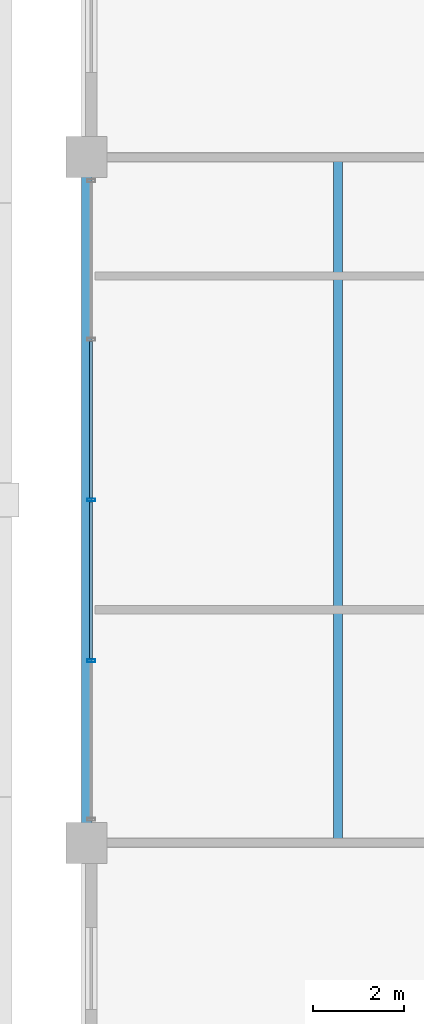
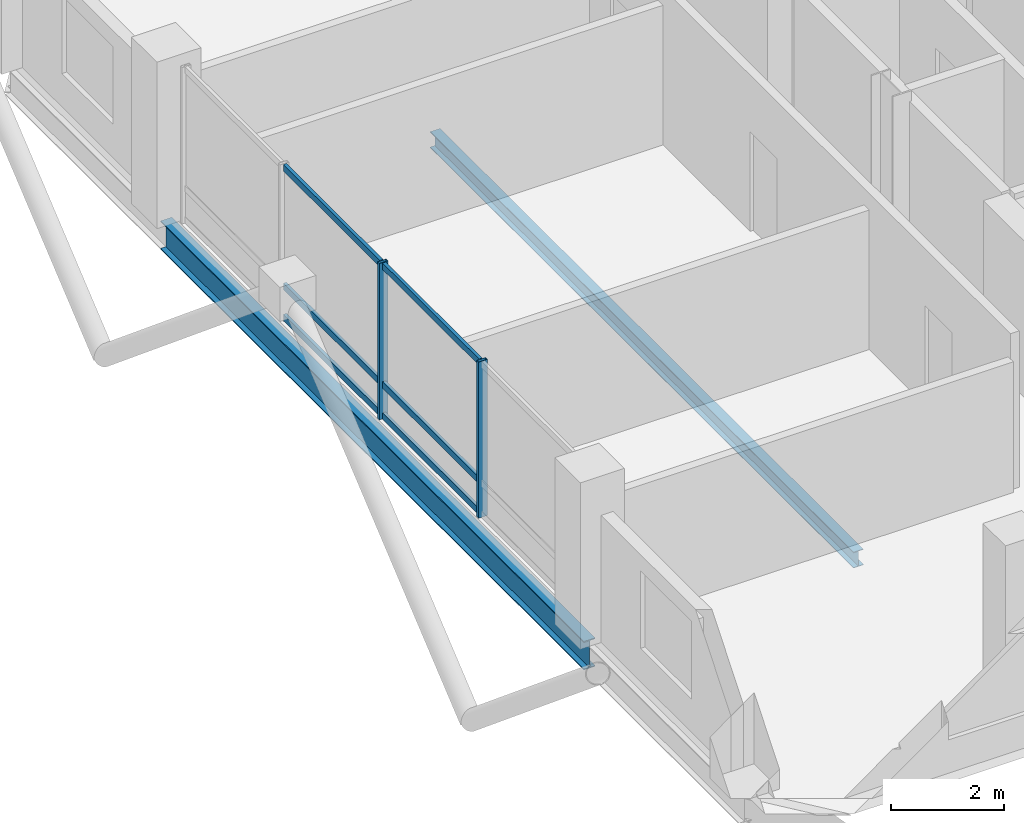
# One storey, part 7 of 22: 8 members, 2 beams, 1 element without a shape of its own.
"""IFC4 building model written with IfcOpenShell, lengths in metres."""

from ifc_helpers import new_model, si_unit, direction, frame, origin, origin_2d, place, context, subcontext, project, spatial, hollow_rectangle, i_section, extrude, material, layer, layer_set, material_profile, profile_set, type_object, element, aggregate, save


model = new_model("IFC4")

# Units and contexts
model_context = context("Model", 3, precision=1e-05, world=origin(), true_north=direction((0.0, 1.0)))
body_context = subcontext(model_context, "Body", "Model", "MODEL_VIEW")
ifc_project = project(units=[si_unit("LENGTHUNIT", "METRE"), si_unit("AREAUNIT", "SQUARE_METRE"), si_unit("VOLUMEUNIT", "CUBIC_METRE"), si_unit("PLANEANGLEUNIT", "RADIAN"), si_unit("MASSUNIT", "GRAM", prefix="KILO")], contexts=[model_context])

# Site, building, storey
site_placement = place(None, origin())
site = spatial("IfcSite", under=ifc_project, at=site_placement, CompositionType="ELEMENT")
building_placement = place(site_placement, origin())
building = spatial("IfcBuilding", under=site, at=building_placement, Name="Barlavira Tower and Art Museum", CompositionType="ELEMENT")
storey_placement = place(building_placement, frame((0.0, 0.0, 258.300048828125)))
storey = spatial("IfcBuildingStorey", under=building, at=storey_placement, Name="L67", CompositionType="ELEMENT", Elevation=258.300048828125)

# Curtain wall, members
ifc_material_1 = material(Name="Low-iron coastal laminated glass", Category="glass")
ifc_layer = layer(ifc_material_1, 0.2099609375, Name="Low-iron coastal laminated glass")
ifc_layer_set = layer_set([ifc_layer], Name="Low-iron coastal laminated glass")
curtain_wall_type = type_object("IfcCurtainWallType", Name="Pale-Metal Unitised Curtain Wall Zone 4", PredefinedType="NOTDEFINED", material=ifc_layer_set)
curtain_wall_placement = place(storey_placement, origin())
curtain_wall = element("IfcCurtainWall", 1, at=curtain_wall_placement, inside=storey, type_object=curtain_wall_type, Name="L67 Curtain Wall CW4-L67-W-B3", PredefinedType="NOTDEFINED")
ifc_material_2 = material(Name="Pale anodised aluminium", Category="aluminium")
ifc_material_profile_1 = material_profile(ifc_material_2, hollow_rectangle(XDim=0.06494140625, YDim=0.179931640625, WallThickness=0.00390625, at=origin_2d()), Name="ALU-MULL 65x180x4")
ifc_profile_set_1 = profile_set([ifc_material_profile_1], Name="Pale anodised aluminium")
member_type_1 = type_object("IfcMemberType", Name="Curtain Wall Pale-Metal Mullion 65x180", PredefinedType="MULLION", material=ifc_profile_set_1)
member_1_placement = place(storey_placement, frame((-16.89990234375, 0.0, 0.0), z_axis=(0.0, 0.0, 1.0), x_axis=(0.0, -1.0, 0.0)))
member_1 = element("IfcMember", 2, at=member_1_placement, type_object=member_type_1, Name="CW4-L67-W-B3 Mullion 2", PredefinedType="MULLION", context=body_context, shape_type="SweptSolid", body=[
    extrude(hollow_rectangle(XDim=0.06494140625, YDim=0.179931640625, WallThickness=0.00390625, at=origin_2d()), origin(), (0.0, 0.0, 1.0), 3.3798828125),
])
member_2_placement = place(storey_placement, frame((-16.89990234375, -3.514892578125, 0.0), z_axis=(0.0, 0.0, 1.0), x_axis=(0.0, -1.0, 0.0)))
member_2 = element("IfcMember", 3, at=member_2_placement, type_object=member_type_1, Name="CW4-L67-W-B3 Mullion 3", PredefinedType="MULLION", context=body_context, shape_type="SweptSolid", body=[
    extrude(hollow_rectangle(XDim=0.06494140625, YDim=0.179931640625, WallThickness=0.00390625, at=origin_2d()), origin(), (0.0, 0.0, 1.0), 3.3798828125),
])
ifc_material_profile_2 = material_profile(ifc_material_2, hollow_rectangle(XDim=0.06494140625, YDim=0.139892578125, WallThickness=0.00390625, at=origin_2d()), Name="ALU-TRAN 65x140x4")
ifc_profile_set_2 = profile_set([ifc_material_profile_2], Name="Pale anodised aluminium")
member_type_2 = type_object("IfcMemberType", Name="Curtain Wall Pale-Metal Transom 65x140", PredefinedType="USERDEFINED", material=ifc_profile_set_2)
member_3_placement = place(storey_placement, frame((-16.89990234375, 3.469970703125, 0.070068359375), z_axis=(0.0, -1.0, 0.0), x_axis=(1.0, 0.0, 0.0)))
member_3 = element("IfcMember", 4, at=member_3_placement, type_object=member_type_2, Name="CW4-L67-W-B3 Transom 1.1", ObjectType="TRANSOM", PredefinedType="USERDEFINED", context=body_context, shape_type="SweptSolid", body=[
    extrude(hollow_rectangle(XDim=0.06494140625, YDim=0.139892578125, WallThickness=0.00390625, at=origin_2d()), origin(), (0.0, 0.0, 1.0), 3.425048828125),
])
member_4_placement = place(storey_placement, frame((-16.89990234375, 3.469970703125, 0.743896484375), z_axis=(0.0, -1.0, 0.0), x_axis=(1.0, 0.0, 0.0)))
member_4 = element("IfcMember", 5, at=member_4_placement, type_object=member_type_2, Name="CW4-L67-W-B3 Transom 1.2", ObjectType="TRANSOM", PredefinedType="USERDEFINED", context=body_context, shape_type="SweptSolid", body=[
    extrude(hollow_rectangle(XDim=0.06494140625, YDim=0.139892578125, WallThickness=0.00390625, at=origin_2d()), origin(), (0.0, 0.0, 1.0), 3.425048828125),
])
member_5_placement = place(storey_placement, frame((-16.89990234375, 3.469970703125, 3.31005859375), z_axis=(0.0, -1.0, 0.0), x_axis=(1.0, 0.0, 0.0)))
member_5 = element("IfcMember", 6, at=member_5_placement, type_object=member_type_2, Name="CW4-L67-W-B3 Transom 1.3", ObjectType="TRANSOM", PredefinedType="USERDEFINED", context=body_context, shape_type="SweptSolid", body=[
    extrude(hollow_rectangle(XDim=0.06494140625, YDim=0.139892578125, WallThickness=0.00390625, at=origin_2d()), origin(), (0.0, 0.0, 1.0), 3.425048828125),
])
member_6_placement = place(storey_placement, frame((-16.89990234375, -0.044921875, 0.070068359375), z_axis=(0.0, -1.0, 0.0), x_axis=(1.0, 0.0, 0.0)))
member_6 = element("IfcMember", 7, at=member_6_placement, type_object=member_type_2, Name="CW4-L67-W-B3 Transom 2.1", ObjectType="TRANSOM", PredefinedType="USERDEFINED", context=body_context, shape_type="SweptSolid", body=[
    extrude(hollow_rectangle(XDim=0.06494140625, YDim=0.139892578125, WallThickness=0.00390625, at=origin_2d()), origin(), (0.0, 0.0, 1.0), 3.425048828125),
])
member_7_placement = place(storey_placement, frame((-16.89990234375, -0.044921875, 0.743896484375), z_axis=(0.0, -1.0, 0.0), x_axis=(1.0, 0.0, 0.0)))
member_7 = element("IfcMember", 8, at=member_7_placement, type_object=member_type_2, Name="CW4-L67-W-B3 Transom 2.2", ObjectType="TRANSOM", PredefinedType="USERDEFINED", context=body_context, shape_type="SweptSolid", body=[
    extrude(hollow_rectangle(XDim=0.06494140625, YDim=0.139892578125, WallThickness=0.00390625, at=origin_2d()), origin(), (0.0, 0.0, 1.0), 3.425048828125),
])
member_8_placement = place(storey_placement, frame((-16.89990234375, -0.044921875, 3.31005859375), z_axis=(0.0, -1.0, 0.0), x_axis=(1.0, 0.0, 0.0)))
member_8 = element("IfcMember", 9, at=member_8_placement, type_object=member_type_2, Name="CW4-L67-W-B3 Transom 2.3", ObjectType="TRANSOM", PredefinedType="USERDEFINED", context=body_context, shape_type="SweptSolid", body=[
    extrude(hollow_rectangle(XDim=0.06494140625, YDim=0.139892578125, WallThickness=0.00390625, at=origin_2d()), origin(), (0.0, 0.0, 1.0), 3.425048828125),
])
aggregate(curtain_wall, [member_1, member_2, member_3, member_4, member_5, member_6, member_7, member_8])

# Beams
ifc_material_3 = material(Name="Steel S355", Category="steel")
ifc_material_profile_3 = material_profile(ifc_material_3, i_section(OverallWidth=0.22998046875, OverallDepth=0.616943359375, WebThickness=0.01318359375, FlangeThickness=0.022216796875, at=origin_2d()), Name="W610x140.0")
ifc_profile_set_3 = profile_set([ifc_material_profile_3], Name="Steel S355")
beam_type_1 = type_object("IfcBeamType", Name="Upper Shaft Spandrel Edge Beam W610x140 Steel S355", PredefinedType="SPANDREL", material=ifc_profile_set_3)
beam_1_placement = place(storey_placement, frame((-17.0, -7.5, -0.528564453125), z_axis=(0.0, 1.0, 0.0), x_axis=(-1.0, 0.0, 0.0)))
element("IfcBeam", 10, at=beam_1_placement, inside=storey, type_object=beam_type_1, Name="L67 Spandrel 14", PredefinedType="SPANDREL", context=body_context, shape_type="SweptSolid", body=[
    extrude(i_section(OverallWidth=0.22998046875, OverallDepth=0.616943359375, WebThickness=0.01318359375, FlangeThickness=0.022216796875, at=origin_2d()), origin(), (0.0, 0.0, 1.0), 15.0),
])
ifc_material_profile_4 = material_profile(ifc_material_3, i_section(OverallWidth=0.202880859375, OverallDepth=0.346923828125, WebThickness=0.0078125, FlangeThickness=0.013427734375, at=origin_2d()), Name="W360x64.0")
ifc_profile_set_4 = profile_set([ifc_material_profile_4], Name="Steel S355")
beam_type_2 = type_object("IfcBeamType", Name="Zone 4 Composite Floor Joist W360x64 Steel S355", PredefinedType="JOIST", material=ifc_profile_set_4)
beam_2_placement = place(storey_placement, frame((-11.5, -7.5, -0.3935546875), z_axis=(0.0, 1.0, 0.0), x_axis=(-1.0, 0.0, 0.0)))
element("IfcBeam", 11, at=beam_2_placement, inside=storey, type_object=beam_type_2, Name="L67 Joist W1", PredefinedType="JOIST", context=body_context, shape_type="SweptSolid", body=[
    extrude(i_section(OverallWidth=0.202880859375, OverallDepth=0.346923828125, WebThickness=0.0078125, FlangeThickness=0.013427734375, at=origin_2d()), origin(), (0.0, 0.0, 1.0), 15.0),
])

save(model, "model.ifc")
